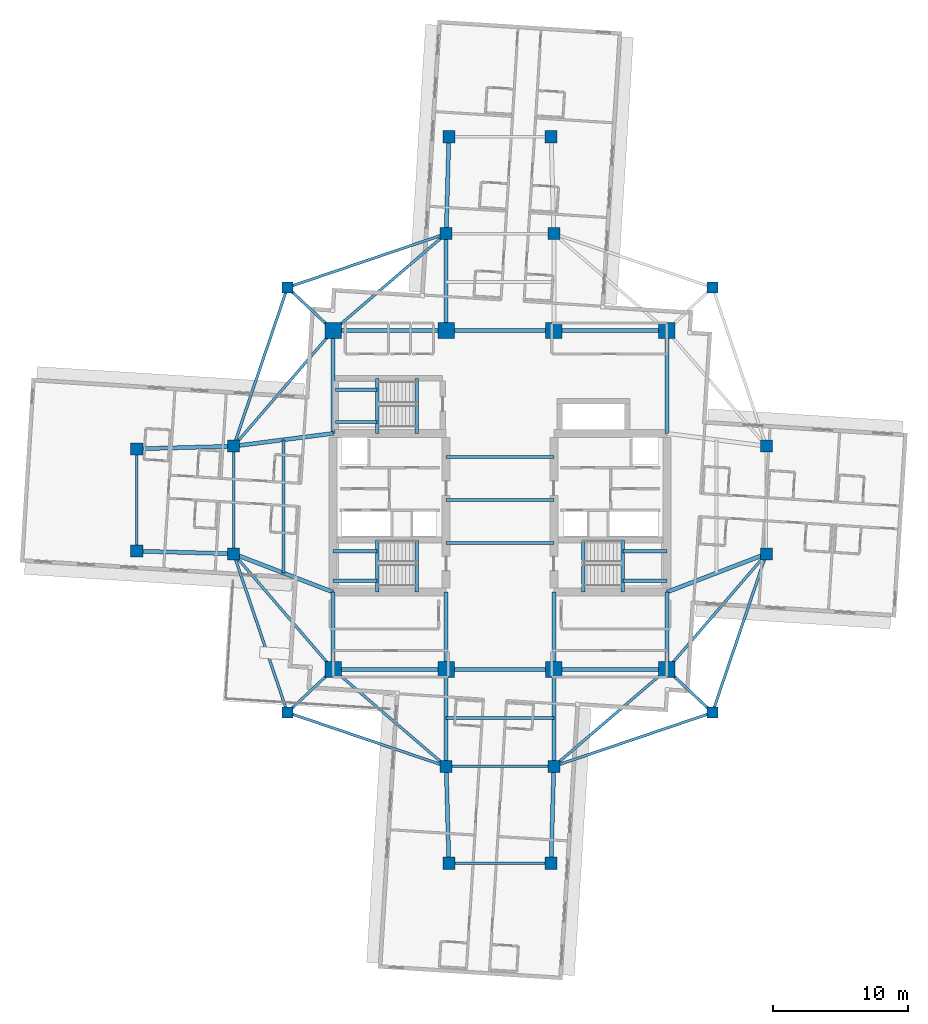
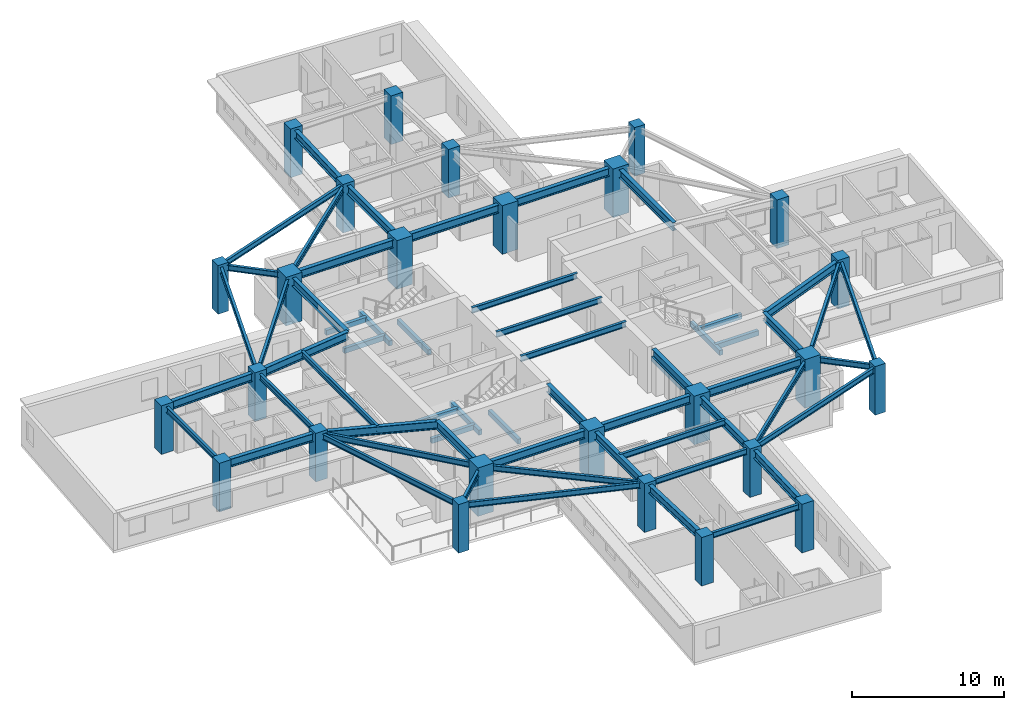
# One storey, part 1 of 14: 59 beams, 26 columns.
"""IFC4 building model written with IfcOpenShell, lengths in metres."""

import ifcopenshell
import ifcopenshell.guid

model = None  # the IFC model being written
_history = None  # IfcOwnerHistory: only IFC2X3 demands one
_inside = {}  # id of a spatial element -> (the spatial element, [elements in it])
_under = {}  # id of a project, library or spatial element -> (it, [spatial elements below it])
_declared = {}  # id of a project -> (the project, [libraries it declares])
_typed = {}  # id of a type object -> (the type object, [elements of that type])
_made_of = {}  # id of a material, layer set ... -> (it, [elements and type objects made of it])


def new_model(schema):
    """Start an empty IFC model of exactly this schema.

    Asked for "IFC4X3", IfcOpenShell would pick the latest addendum, in which some entities
    have other attributes; the version numbers below select the first issue.
    IFC2X3 requires an IfcOwnerHistory on every rooted entity: one is made here for all.
    """
    global model, _history
    if schema == "IFC4X3":
        model = ifcopenshell.file(schema_version=(4, 3, 0, 0))
    else:
        model = ifcopenshell.file(schema=schema)
    _inside.clear()
    _under.clear()
    _declared.clear()
    _typed.clear()
    _made_of.clear()
    _history = None
    if model.schema == "IFC2X3":
        org = make("IfcOrganization", Name="unknown")
        user = make(
            "IfcPersonAndOrganization",
            ThePerson=make("IfcPerson", FamilyName="unknown"),
            TheOrganization=org,
        )
        app = make(
            "IfcApplication",
            ApplicationDeveloper=org,
            Version="unknown",
            ApplicationFullName="unknown",
            ApplicationIdentifier="unknown",
        )
        _history = make(
            "IfcOwnerHistory",
            OwningUser=user,
            OwningApplication=app,
            ChangeAction="ADDED",
            CreationDate=0,
        )
    return model


def make(cls, **values):
    """One entity of the class cls with the attributes given. An attribute that is None is left unset."""
    return model.create_entity(
        cls, **{name: value for name, value in values.items() if value is not None}
    )


def rooted(cls, **values):
    """An entity with a GlobalId (a new one), such as an element, a storey or a relation."""
    return make(cls, GlobalId=ifcopenshell.guid.new(), OwnerHistory=_history, **values)


def si_unit(unit_type, name, prefix=None):
    """IfcSIUnit, for example si_unit("LENGTHUNIT", "METRE", prefix="MILLI")."""
    return make("IfcSIUnit", UnitType=unit_type, Prefix=prefix, Name=name)


def assignment(units):
    """IfcUnitAssignment: the units of a project."""
    return None if units is None else make("IfcUnitAssignment", Units=units)


def point(xyz):
    """IfcCartesianPoint."""
    return None if xyz is None else make("IfcCartesianPoint", Coordinates=xyz)


def direction(xyz):
    """IfcDirection."""
    return None if xyz is None else make("IfcDirection", DirectionRatios=xyz)


def frame(location, z_axis=None, x_axis=None):
    """IfcAxis2Placement3D, a coordinate frame: its origin and axes. An axis left out is left unset."""
    return make(
        "IfcAxis2Placement3D",
        Location=point(location),
        Axis=direction(z_axis),
        RefDirection=direction(x_axis),
    )


def frame_2d(location, x_axis=None):
    """IfcAxis2Placement2D, a coordinate frame in the plane: its origin and x axis."""
    return make(
        "IfcAxis2Placement2D", Location=point(location), RefDirection=direction(x_axis)
    )


def origin():
    """The frame at (0, 0, 0) with its axes left unset."""
    return frame((0.0, 0.0, 0.0))


def origin_2d():
    """The frame at (0, 0) in the plane with its x axis left unset."""
    return frame_2d((0.0, 0.0))


def place(relative_to, where):
    """IfcLocalPlacement: puts the frame where relative to a parent placement (None: the world)."""
    return make(
        "IfcLocalPlacement", PlacementRelTo=relative_to, RelativePlacement=where
    )


def context(
    kind, dimensions, precision=None, world=None, true_north=None, identifier=None
):
    """IfcGeometricRepresentationContext, for example the 3D "Model" context."""
    return make(
        "IfcGeometricRepresentationContext",
        ContextIdentifier=identifier,
        ContextType=kind,
        CoordinateSpaceDimension=dimensions,
        Precision=precision,
        WorldCoordinateSystem=world,
        TrueNorth=true_north,
    )


def subcontext(parent, identifier, kind, view, scale=None):
    """IfcGeometricRepresentationSubContext, for example "Body" below "Model"."""
    return make(
        "IfcGeometricRepresentationSubContext",
        ContextIdentifier=identifier,
        ContextType=kind,
        ParentContext=parent,
        TargetScale=scale,
        TargetView=view,
    )


def project(units=None, contexts=None):
    """IfcProject with its units and contexts."""
    return rooted(
        "IfcProject",
        Name="project",
        RepresentationContexts=contexts,
        UnitsInContext=assignment(units),
    )


def spatial(cls, under=None, at=None, **own):
    """A site, building, storey or space (cls), placed at a placement, below another one or the project."""
    s = rooted(cls, ObjectPlacement=at, **own)
    if under is not None:
        _under.setdefault(under.id(), (under, []))[1].append(s)
    return s


def profile(cls, at=None, kind="AREA", **sizes):
    """A parametric profile (cls). Its sizes go by their IFC names, for example OverallWidth=200.0."""
    return make(cls, ProfileType=kind, Position=at, **sizes)


def rectangle(**sizes):
    """IfcRectangleProfileDef."""
    return profile("IfcRectangleProfileDef", **sizes)


def i_section(**sizes):
    """IfcIShapeProfileDef."""
    return profile("IfcIShapeProfileDef", **sizes)


def extrude(swept, where, along, depth):
    """IfcExtrudedAreaSolid: the profile swept, set in the frame where, extruded along a direction by depth."""
    return make(
        "IfcExtrudedAreaSolid",
        SweptArea=swept,
        Position=where,
        ExtrudedDirection=direction(along),
        Depth=depth,
    )


def shape(context_of_items, identifier, shape_type, items):
    """IfcShapeRepresentation: the items that make up one representation, for example the "Body"."""
    return make(
        "IfcShapeRepresentation",
        ContextOfItems=context_of_items,
        RepresentationIdentifier=identifier,
        RepresentationType=shape_type,
        Items=items,
    )


def material(Name=None, Category=None):
    """IfcMaterial."""
    return make("IfcMaterial", Name=Name, Category=Category)


def material_profile(
    of_material, cross_section, Name=None, Category=None, Priority=None
):
    """IfcMaterialProfile: a cross section and its material."""
    return make(
        "IfcMaterialProfile",
        Name=Name,
        Material=of_material,
        Profile=cross_section,
        Priority=Priority,
        Category=Category,
    )


def profile_set(profiles, Name=None, composite=None):
    """IfcMaterialProfileSet."""
    return make(
        "IfcMaterialProfileSet",
        Name=Name,
        MaterialProfiles=profiles,
        CompositeProfile=composite,
    )


def made_of(thing, what):
    """Note that an element or type object is made of a material, layer set ...; save() writes the relation."""
    if what is not None:
        _made_of.setdefault(what.id(), (what, []))[1].append(thing)
    return thing


def type_object(cls, material=None, **own):
    """A type object (cls), such as IfcWallType, which elements share."""
    return made_of(rooted(cls, **own), material)


def element(
    cls,
    number,
    at=None,
    inside=None,
    cuts=None,
    type_object=None,
    material=None,
    context=None,
    identifier="Body",
    shape_type=None,
    held_by="IfcProductDefinitionShape",
    body=None,
    shapes=None,
    **own,
):
    """One element of the class cls, such as IfcWall. Its Tag is "e" and its number.

    at: its placement. inside: the storey or other place that contains it. cuts: it is an
    opening in that element (IfcRelVoidsElement). A single representation is given by context,
    identifier, shape_type and body (its items); several are given by shapes. held_by: the class
    of the entity that holds the representations. save() writes the other relations.
    """
    e = rooted(cls, Tag="e%d" % number, ObjectPlacement=at, **own)
    if body is not None:
        shapes = [shape(context, identifier, shape_type, body)]
    if shapes is not None:
        e.Representation = make(held_by, Representations=shapes)
    if inside is not None:
        _inside.setdefault(inside.id(), (inside, []))[1].append(e)
    if cuts is not None:
        rooted(
            "IfcRelVoidsElement", RelatingBuildingElement=cuts, RelatedOpeningElement=e
        )
    if type_object is not None:
        _typed.setdefault(type_object.id(), (type_object, []))[1].append(e)
    return made_of(e, material)


def aggregate(whole, parts):
    """IfcRelAggregates: a whole, such as a stair, and the parts it consists of."""
    return rooted("IfcRelAggregates", RelatingObject=whole, RelatedObjects=parts)


def save(model, path):
    """Write the relations noted so far, then the file.

    IfcRelAggregates (storeys below a building ...), IfcRelContainedInSpatialStructure (elements
    in a storey), IfcRelDefinesByType, IfcRelAssociatesMaterial and IfcRelDeclares: one each for
    every whole, place, type object, material and project.
    """
    for whole, parts in _under.values():
        aggregate(whole, parts)
    for where, things in _inside.values():
        rooted(
            "IfcRelContainedInSpatialStructure",
            RelatedElements=things,
            RelatingStructure=where,
        )
    for kind, things in _typed.values():
        rooted("IfcRelDefinesByType", RelatedObjects=things, RelatingType=kind)
    for what, things in _made_of.values():
        rooted("IfcRelAssociatesMaterial", RelatedObjects=things, RelatingMaterial=what)
    for by, libraries in _declared.values():
        rooted("IfcRelDeclares", RelatingContext=by, RelatedDefinitions=libraries)
    model.write(path)


model = new_model("IFC4")

# Units and contexts
model_context = context("Model", 3, precision=1e-05, world=origin(), true_north=direction((0.0, 1.0)))
body_context = subcontext(model_context, "Body", "Model", "MODEL_VIEW")
ifc_project = project(units=[si_unit("LENGTHUNIT", "METRE"), si_unit("AREAUNIT", "SQUARE_METRE"), si_unit("VOLUMEUNIT", "CUBIC_METRE"), si_unit("PLANEANGLEUNIT", "RADIAN"), si_unit("MASSUNIT", "GRAM", prefix="KILO")], contexts=[model_context])

# Site, building, storey
site_placement = place(None, origin())
site = spatial("IfcSite", under=ifc_project, at=site_placement, CompositionType="ELEMENT")
building_placement = place(site_placement, origin())
building = spatial("IfcBuilding", under=site, at=building_placement, Name="Qingluan Cross Belvedere", CompositionType="ELEMENT")
storey_placement = place(building_placement, frame((0.0, 0.0, 160.5)))
storey = spatial("IfcBuildingStorey", under=building, at=storey_placement, Name="L40", CompositionType="ELEMENT", Elevation=160.5)

# Columns
ifc_material_1 = material(Name="Concrete C60", Category="concrete")
ifc_material_profile_1 = material_profile(ifc_material_1, rectangle(XDim=1.199951171875, YDim=1.199951171875, at=origin_2d()), Name="RC1200x1200")
ifc_profile_set_1 = profile_set([ifc_material_profile_1], Name="Concrete C60")
column_type_1 = type_object("IfcColumnType", Name="Column_RC1200x1200", PredefinedType="COLUMN", material=ifc_profile_set_1)
for number, where, z_axis, x_axis, name in (
    (1, (-12.39990234375, -12.60009765625, 0.0), (0.0, 0.0, 1.0), (1.0, 0.0, 0.0), "Hub column L40-HC1"),
    (2, (12.39990234375, -12.60009765625, 0.0), (0.0, 0.0, 1.0), (1.0, 0.0, 0.0), "Hub column L40-HC2"),
    (3, (12.39990234375, 12.60009765625, 0.0), (0.0, 0.0, 1.0), (1.0, 0.0, 0.0), "Hub column L40-HC3"),
    (4, (-12.39990234375, 12.60009765625, 0.0), (0.0, 0.0, 1.0), (1.0, 0.0, 0.0), "Hub column L40-HC4"),
    (5, (-4.0, -12.60009765625, 0.0), (0.0, 0.0, 1.0), (1.0, 0.0, 0.0), "Hub column L40-HC5"),
    (6, (4.0, -12.60009765625, 0.0), (0.0, 0.0, 1.0), (1.0, 0.0, 0.0), "Hub column L40-HC6"),
    (7, (4.0, 12.60009765625, 0.0), (0.0, 0.0, 1.0), (1.0, 0.0, 0.0), "Hub column L40-HC7"),
    (8, (-4.0, 12.60009765625, 0.0), (0.0, 0.0, 1.0), (1.0, 0.0, 0.0), "Hub column L40-HC8"),
):
    element("IfcColumn", number, at=place(storey_placement, frame(where, z_axis=z_axis, x_axis=x_axis)), inside=storey, type_object=column_type_1, Name=name, PredefinedType="COLUMN", context=body_context, shape_type="SweptSolid", body=[
        extrude(rectangle(XDim=1.199951171875, YDim=1.199951171875, at=origin_2d()), origin(), (0.0, 0.0, 1.0), 3.89990234375),
    ])
ifc_material_2 = material(Name="Concrete C50", Category="concrete")
ifc_material_profile_2 = material_profile(ifc_material_2, rectangle(XDim=0.800048828125, YDim=0.800048828125, at=origin_2d()), Name="RC800x800")
ifc_profile_set_2 = profile_set([ifc_material_profile_2], Name="Concrete C50")
column_type_2 = type_object("IfcColumnType", Name="Column_RC800x800", PredefinedType="COLUMN", material=ifc_profile_set_2)
for number, where, z_axis, x_axis, name in (
    (9, (15.800048828125, 15.800048828125, 0.0), (0.0, 0.0, 1.0), (1.0, 0.0, 0.0), "Corner column L40-RNE"),
    (10, (-15.800048828125, 15.800048828125, 0.0), (0.0, 0.0, 1.0), (1.0, 0.0, 0.0), "Corner column L40-RNW"),
    (11, (-15.800048828125, -15.800048828125, 0.0), (0.0, 0.0, 1.0), (1.0, 0.0, 0.0), "Corner column L40-RSW"),
    (12, (15.800048828125, -15.800048828125, 0.0), (0.0, 0.0, 1.0), (1.0, 0.0, 0.0), "Corner column L40-RSE"),
):
    element("IfcColumn", number, at=place(storey_placement, frame(where, z_axis=z_axis, x_axis=x_axis)), inside=storey, type_object=column_type_2, Name=name, PredefinedType="COLUMN", context=body_context, shape_type="SweptSolid", body=[
        extrude(rectangle(XDim=0.800048828125, YDim=0.800048828125, at=origin_2d()), origin(), (0.0, 0.0, 1.0), 3.89990234375),
    ])
ifc_material_3 = material(Name="Concrete C50", Category="concrete")
ifc_material_profile_3 = material_profile(ifc_material_3, rectangle(XDim=0.89990234375, YDim=0.89990234375, at=origin_2d()), Name="RC900x900")
ifc_profile_set_3 = profile_set([ifc_material_profile_3], Name="Concrete C50")
column_type_3 = type_object("IfcColumnType", Name="Column_RC900x900", PredefinedType="COLUMN", material=ifc_profile_set_3)
for number, where, z_axis, x_axis, name in (
    (13, (19.800048828125, -4.0, 0.0), (0.0, 0.0, 1.0), (1.0, 0.0, 0.0), "Arm column L40-EIA"),
    (14, (19.800048828125, 4.0, 0.0), (0.0, 0.0, 1.0), (1.0, 0.0, 0.0), "Arm column L40-EIB"),
    (15, (-19.800048828125, -4.0, 0.0), (0.0, 0.0, 1.0), (1.0, 0.0, 0.0), "Arm column L40-WIA"),
    (16, (-19.800048828125, 4.0, 0.0), (0.0, 0.0, 1.0), (1.0, 0.0, 0.0), "Arm column L40-WIB"),
    (17, (-4.0, -19.800048828125, 0.0), (0.0, 0.0, 1.0), (1.0, 0.0, 0.0), "Arm column L40-SIA"),
    (18, (4.0, -19.800048828125, 0.0), (0.0, 0.0, 1.0), (1.0, 0.0, 0.0), "Arm column L40-SIB"),
    (19, (-4.0, 19.800048828125, 0.0), (0.0, 0.0, 1.0), (1.0, 0.0, 0.0), "Arm column L40-NIA"),
    (20, (4.0, 19.800048828125, 0.0), (0.0, 0.0, 1.0), (1.0, 0.0, 0.0), "Arm column L40-NIB"),
    (21, (-27.0, -3.800048828125, 0.0), (0.0, 0.0, 1.0), (1.0, 0.0, 0.0), "Arm column L40-WOA"),
    (22, (-27.0, 3.800048828125, 0.0), (0.0, 0.0, 1.0), (1.0, 0.0, 0.0), "Arm column L40-WOB"),
    (23, (-3.800048828125, -27.0, 0.0), (0.0, 0.0, 1.0), (1.0, 0.0, 0.0), "Arm column L40-SOA"),
    (24, (3.800048828125, -27.0, 0.0), (0.0, 0.0, 1.0), (1.0, 0.0, 0.0), "Arm column L40-SOB"),
    (25, (-3.800048828125, 27.0, 0.0), (0.0, 0.0, 1.0), (1.0, 0.0, 0.0), "Arm column L40-NOA"),
    (26, (3.800048828125, 27.0, 0.0), (0.0, 0.0, 1.0), (1.0, 0.0, 0.0), "Arm column L40-NOB"),
):
    element("IfcColumn", number, at=place(storey_placement, frame(where, z_axis=z_axis, x_axis=x_axis)), inside=storey, type_object=column_type_3, Name=name, PredefinedType="COLUMN", context=body_context, shape_type="SweptSolid", body=[
        extrude(rectangle(XDim=0.89990234375, YDim=0.89990234375, at=origin_2d()), origin(), (0.0, 0.0, 1.0), 3.89990234375),
    ])

# Beams
ifc_material_4 = material(Name="Concrete C45", Category="concrete")
ifc_material_profile_4 = material_profile(ifc_material_4, rectangle(XDim=0.25, YDim=0.39990234375, at=origin_2d()), Name="RC250x400")
ifc_profile_set_4 = profile_set([ifc_material_profile_4], Name="Concrete C45")
beam_type_1 = type_object("IfcBeamType", Name="RC_Lintel_RC250x400", PredefinedType="LINTEL", material=ifc_profile_set_4)
for number, where, z_axis, x_axis, name in (
    (27, (-6.179931640625, -6.85009765625, -0.199951171875), (0.0, 1.0, 0.0), (-1.0, 0.0, 0.0), "Stair ST1 landing beam L40"),
    (28, (6.179931640625, -6.85009765625, -0.199951171875), (0.0, 1.0, 0.0), (-1.0, 0.0, 0.0), "Stair ST2 landing beam L40"),
):
    element("IfcBeam", number, at=place(storey_placement, frame(where, z_axis=z_axis, x_axis=x_axis)), inside=storey, type_object=beam_type_1, Name=name, PredefinedType="LINTEL", context=body_context, shape_type="SweptSolid", body=[
        extrude(rectangle(XDim=0.25, YDim=0.39990234375, at=origin_2d()), origin(), (0.0, 0.0, 1.0), 3.89013671875),
    ])
beam_1_placement = place(storey_placement, frame((-6.179931640625, 4.949951171875, -0.199951171875), z_axis=(0.0, 1.0, 0.0), x_axis=(-1.0, 0.0, 0.0)))
element("IfcBeam", 29, at=beam_1_placement, inside=storey, type_object=beam_type_1, Name="Stair ST3 landing beam L40", PredefinedType="LINTEL", context=body_context, shape_type="SweptSolid", body=[
    extrude(rectangle(XDim=0.25, YDim=0.39990234375, at=origin_2d()), origin(), (0.0, 0.0, 1.0), 4.090087890625),
])
beam_2_placement = place(storey_placement, frame((-9.1298828125, -6.85009765625, 1.550048828125), z_axis=(0.0, 1.0, 0.0), x_axis=(-1.0, 0.0, 0.0)))
element("IfcBeam", 30, at=beam_2_placement, inside=storey, type_object=beam_type_1, Name="Stair ST1 beam A L40", PredefinedType="LINTEL", context=body_context, shape_type="SweptSolid", body=[
    extrude(rectangle(XDim=0.25, YDim=0.39990234375, at=origin_2d()), origin(), (0.0, 0.0, 1.0), 3.89013671875),
])
for number, where, z_axis, x_axis, name in (
    (31, (-12.39990234375, -6.0, 1.550048828125), (1.0, 0.0, 0.0), (0.0, 1.0, 0.0), "Stair ST1 beam B L40"),
    (32, (-12.39990234375, -3.81005859375, 1.550048828125), (1.0, 0.0, 0.0), (0.0, 1.0, 0.0), "Stair ST1 beam C L40"),
):
    element("IfcBeam", number, at=place(storey_placement, frame(where, z_axis=z_axis, x_axis=x_axis)), inside=storey, type_object=beam_type_1, Name=name, PredefinedType="LINTEL", context=body_context, shape_type="SweptSolid", body=[
        extrude(rectangle(XDim=0.25, YDim=0.39990234375, at=origin_2d()), origin(), (0.0, 0.0, 1.0), 3.27001953125),
    ])
beam_3_placement = place(storey_placement, frame((9.1298828125, -6.85009765625, 1.550048828125), z_axis=(0.0, 1.0, 0.0), x_axis=(-1.0, 0.0, 0.0)))
element("IfcBeam", 33, at=beam_3_placement, inside=storey, type_object=beam_type_1, Name="Stair ST2 beam A L40", PredefinedType="LINTEL", context=body_context, shape_type="SweptSolid", body=[
    extrude(rectangle(XDim=0.25, YDim=0.39990234375, at=origin_2d()), origin(), (0.0, 0.0, 1.0), 3.89013671875),
])
for number, where, z_axis, x_axis, name in (
    (34, (12.39990234375, -6.0, 1.550048828125), (-1.0, 0.0, 0.0), (0.0, -1.0, 0.0), "Stair ST2 beam B L40"),
    (35, (12.39990234375, -3.81005859375, 1.550048828125), (-1.0, 0.0, 0.0), (0.0, -1.0, 0.0), "Stair ST2 beam C L40"),
):
    element("IfcBeam", number, at=place(storey_placement, frame(where, z_axis=z_axis, x_axis=x_axis)), inside=storey, type_object=beam_type_1, Name=name, PredefinedType="LINTEL", context=body_context, shape_type="SweptSolid", body=[
        extrude(rectangle(XDim=0.25, YDim=0.39990234375, at=origin_2d()), origin(), (0.0, 0.0, 1.0), 3.27001953125),
    ])
beam_4_placement = place(storey_placement, frame((-9.1298828125, 4.949951171875, 1.550048828125), z_axis=(0.0, 1.0, 0.0), x_axis=(-1.0, 0.0, 0.0)))
element("IfcBeam", 36, at=beam_4_placement, inside=storey, type_object=beam_type_1, Name="Stair ST3 beam A L40", PredefinedType="LINTEL", context=body_context, shape_type="SweptSolid", body=[
    extrude(rectangle(XDim=0.25, YDim=0.39990234375, at=origin_2d()), origin(), (0.0, 0.0, 1.0), 4.090087890625),
])
for number, where, z_axis, x_axis, name in (
    (37, (-12.219970703125, 5.800048828125, 1.550048828125), (1.0, 0.0, 0.0), (0.0, 1.0, 0.0), "Stair ST3 beam B L40"),
    (38, (-12.219970703125, 8.18994140625, 1.550048828125), (1.0, 0.0, 0.0), (0.0, 1.0, 0.0), "Stair ST3 beam C L40"),
):
    element("IfcBeam", number, at=place(storey_placement, frame(where, z_axis=z_axis, x_axis=x_axis)), inside=storey, type_object=beam_type_1, Name=name, PredefinedType="LINTEL", context=body_context, shape_type="SweptSolid", body=[
        extrude(rectangle(XDim=0.25, YDim=0.39990234375, at=origin_2d()), origin(), (0.0, 0.0, 1.0), 3.090087890625),
    ])
ifc_material_5 = material(Name="Steel Q420GJB", Category="steel")
ifc_material_profile_5 = material_profile(ifc_material_5, i_section(OverallWidth=0.199951171875, OverallDepth=0.449951171875, WebThickness=0.009033203125, FlangeThickness=0.013916015625, FilletRadius=0.01611328125, at=origin_2d()), Name="HN450x200x9x14")
ifc_profile_set_5 = profile_set([ifc_material_profile_5], Name="Steel Q420GJB")
beam_type_2 = type_object("IfcBeamType", Name="Steel_Beam_HN450x200x9x14", PredefinedType="JOIST", material=ifc_profile_set_5)
beam_5_placement = place(storey_placement, frame((-12.39990234375, 12.60009765625, 3.47509765625), z_axis=(-0.728219948308, 0.685343495546, 0.0), x_axis=(-0.685343495546, -0.728219948308, 0.0)))
element("IfcBeam", 39, at=beam_5_placement, inside=storey, type_object=beam_type_2, Name="Corner beam 1 L40-RNW", PredefinedType="JOIST", context=body_context, shape_type="SweptSolid", body=[
    extrude(i_section(OverallWidth=0.199951171875, OverallDepth=0.449951171875, WebThickness=0.009033203125, FlangeThickness=0.013916015625, FilletRadius=0.01611328125, at=origin_2d()), origin(), (0.0, 0.0, 1.0), 4.669189453125),
])
for number, where, z_axis, x_axis, name in (
    (40, (-15.800048828125, 15.800048828125, 3.47509765625), (0.947066283324, 0.321038089628, 0.0), (-0.321038089628, 0.947066283324, 0.0), "Corner beam 2 L40-RNW"),
    (41, (-15.800048828125, 15.800048828125, 3.47509765625), (-0.321038089628, -0.947066283324, 0.0), (0.947066283324, -0.321038089628, 0.0), "Corner beam 3 L40-RNW"),
):
    element("IfcBeam", number, at=place(storey_placement, frame(where, z_axis=z_axis, x_axis=x_axis)), inside=storey, type_object=beam_type_2, Name=name, PredefinedType="JOIST", context=body_context, shape_type="SweptSolid", body=[
        extrude(i_section(OverallWidth=0.199951171875, OverallDepth=0.449951171875, WebThickness=0.009033203125, FlangeThickness=0.013916015625, FilletRadius=0.01611328125, at=origin_2d()), origin(), (0.0, 0.0, 1.0), 12.45947265625),
    ])
beam_6_placement = place(storey_placement, frame((-12.39990234375, 12.60009765625, 3.47509765625), z_axis=(-0.652245077546, -0.75800815221, 0.0), x_axis=(0.75800815221, -0.652245077546, 0.0)))
element("IfcBeam", 42, at=beam_6_placement, inside=storey, type_object=beam_type_2, Name="Corner beam 4 L40-RNW", PredefinedType="JOIST", context=body_context, shape_type="SweptSolid", body=[
    extrude(i_section(OverallWidth=0.199951171875, OverallDepth=0.449951171875, WebThickness=0.009033203125, FlangeThickness=0.013916015625, FilletRadius=0.01611328125, at=origin_2d()), origin(), (0.0, 0.0, 1.0), 11.345703125),
])
beam_7_placement = place(storey_placement, frame((-12.39990234375, 12.60009765625, 3.47509765625), z_axis=(0.759255044656, 0.650793190779, 0.0), x_axis=(-0.650793190779, 0.759255044656, 0.0)))
element("IfcBeam", 43, at=beam_7_placement, inside=storey, type_object=beam_type_2, Name="Corner beam 5 L40-RNW", PredefinedType="JOIST", context=body_context, shape_type="SweptSolid", body=[
    extrude(i_section(OverallWidth=0.199951171875, OverallDepth=0.449951171875, WebThickness=0.009033203125, FlangeThickness=0.013916015625, FilletRadius=0.01611328125, at=origin_2d()), origin(), (0.0, 0.0, 1.0), 11.063232421875),
])
beam_8_placement = place(storey_placement, frame((-12.39990234375, -12.60009765625, 3.455078125), z_axis=(-0.728219948308, -0.685343495546, 0.0), x_axis=(0.685343495546, -0.728219948308, 0.0)))
element("IfcBeam", 44, at=beam_8_placement, inside=storey, type_object=beam_type_2, Name="Corner beam 1 L40-RSW", PredefinedType="JOIST", context=body_context, shape_type="SweptSolid", body=[
    extrude(i_section(OverallWidth=0.199951171875, OverallDepth=0.449951171875, WebThickness=0.009033203125, FlangeThickness=0.013916015625, FilletRadius=0.01611328125, at=origin_2d()), origin(), (0.0, 0.0, 1.0), 4.669189453125),
])
for number, where, z_axis, x_axis, name in (
    (45, (-15.800048828125, -15.800048828125, 3.47509765625), (0.947066283324, -0.321038089628, 0.0), (0.321038089628, 0.947066283324, 0.0), "Corner beam 2 L40-RSW"),
    (46, (-15.800048828125, -15.800048828125, 3.455078125), (-0.321038089628, 0.947066283324, 0.0), (-0.947066283324, -0.321038089628, 0.0), "Corner beam 3 L40-RSW"),
):
    element("IfcBeam", number, at=place(storey_placement, frame(where, z_axis=z_axis, x_axis=x_axis)), inside=storey, type_object=beam_type_2, Name=name, PredefinedType="JOIST", context=body_context, shape_type="SweptSolid", body=[
        extrude(i_section(OverallWidth=0.199951171875, OverallDepth=0.449951171875, WebThickness=0.009033203125, FlangeThickness=0.013916015625, FilletRadius=0.01611328125, at=origin_2d()), origin(), (0.0, 0.0, 1.0), 12.45947265625),
    ])
beam_9_placement = place(storey_placement, frame((-12.39990234375, -12.60009765625, 3.455078125), z_axis=(-0.652245077546, 0.75800815221, 0.0), x_axis=(-0.75800815221, -0.652245077546, 0.0)))
element("IfcBeam", 47, at=beam_9_placement, inside=storey, type_object=beam_type_2, Name="Corner beam 4 L40-RSW", PredefinedType="JOIST", context=body_context, shape_type="SweptSolid", body=[
    extrude(i_section(OverallWidth=0.199951171875, OverallDepth=0.449951171875, WebThickness=0.009033203125, FlangeThickness=0.013916015625, FilletRadius=0.01611328125, at=origin_2d()), origin(), (0.0, 0.0, 1.0), 11.345703125),
])
beam_10_placement = place(storey_placement, frame((-12.39990234375, -12.60009765625, 3.455078125), z_axis=(0.759255044656, -0.650793190779, 0.0), x_axis=(0.650793190779, 0.759255044656, 0.0)))
element("IfcBeam", 48, at=beam_10_placement, inside=storey, type_object=beam_type_2, Name="Corner beam 5 L40-RSW", PredefinedType="JOIST", context=body_context, shape_type="SweptSolid", body=[
    extrude(i_section(OverallWidth=0.199951171875, OverallDepth=0.449951171875, WebThickness=0.009033203125, FlangeThickness=0.013916015625, FilletRadius=0.01611328125, at=origin_2d()), origin(), (0.0, 0.0, 1.0), 11.063232421875),
])
beam_11_placement = place(storey_placement, frame((12.39990234375, -12.60009765625, 3.47509765625), z_axis=(0.728219948308, -0.685343495546, 0.0), x_axis=(0.685343495546, 0.728219948308, 0.0)))
element("IfcBeam", 49, at=beam_11_placement, inside=storey, type_object=beam_type_2, Name="Corner beam 1 L40-RSE", PredefinedType="JOIST", context=body_context, shape_type="SweptSolid", body=[
    extrude(i_section(OverallWidth=0.199951171875, OverallDepth=0.449951171875, WebThickness=0.009033203125, FlangeThickness=0.013916015625, FilletRadius=0.01611328125, at=origin_2d()), origin(), (0.0, 0.0, 1.0), 4.669189453125),
])
for number, where, z_axis, x_axis, name in (
    (50, (15.800048828125, -15.800048828125, 3.47509765625), (-0.947066283324, -0.321038089628, 0.0), (0.321038089628, -0.947066283324, 0.0), "Corner beam 2 L40-RSE"),
    (51, (15.800048828125, -15.800048828125, 3.47509765625), (0.321038089628, 0.947066283324, 0.0), (-0.947066283324, 0.321038089628, 0.0), "Corner beam 3 L40-RSE"),
):
    element("IfcBeam", number, at=place(storey_placement, frame(where, z_axis=z_axis, x_axis=x_axis)), inside=storey, type_object=beam_type_2, Name=name, PredefinedType="JOIST", context=body_context, shape_type="SweptSolid", body=[
        extrude(i_section(OverallWidth=0.199951171875, OverallDepth=0.449951171875, WebThickness=0.009033203125, FlangeThickness=0.013916015625, FilletRadius=0.01611328125, at=origin_2d()), origin(), (0.0, 0.0, 1.0), 12.45947265625),
    ])
beam_12_placement = place(storey_placement, frame((12.39990234375, -12.60009765625, 3.47509765625), z_axis=(0.652245077546, 0.75800815221, 0.0), x_axis=(-0.75800815221, 0.652245077546, 0.0)))
element("IfcBeam", 52, at=beam_12_placement, inside=storey, type_object=beam_type_2, Name="Corner beam 4 L40-RSE", PredefinedType="JOIST", context=body_context, shape_type="SweptSolid", body=[
    extrude(i_section(OverallWidth=0.199951171875, OverallDepth=0.449951171875, WebThickness=0.009033203125, FlangeThickness=0.013916015625, FilletRadius=0.01611328125, at=origin_2d()), origin(), (0.0, 0.0, 1.0), 11.345703125),
])
beam_13_placement = place(storey_placement, frame((12.39990234375, -12.60009765625, 3.47509765625), z_axis=(-0.759255044656, -0.650793190779, 0.0), x_axis=(0.650793190779, -0.759255044656, 0.0)))
element("IfcBeam", 53, at=beam_13_placement, inside=storey, type_object=beam_type_2, Name="Corner beam 5 L40-RSE", PredefinedType="JOIST", context=body_context, shape_type="SweptSolid", body=[
    extrude(i_section(OverallWidth=0.199951171875, OverallDepth=0.449951171875, WebThickness=0.009033203125, FlangeThickness=0.013916015625, FilletRadius=0.01611328125, at=origin_2d()), origin(), (0.0, 0.0, 1.0), 11.063232421875),
])
for number, where, z_axis, x_axis, name in (
    (54, (-4.0, -3.199951171875, 3.47509765625), (1.0, 0.0, 0.0), (0.0, 1.0, 0.0), "Hall beam L40-CH1"),
    (55, (-4.0, 0.0, 3.47509765625), (1.0, 0.0, 0.0), (0.0, 1.0, 0.0), "Hall beam L40-CH2"),
    (56, (-4.0, 3.199951171875, 3.47509765625), (1.0, 0.0, 0.0), (0.0, 1.0, 0.0), "Hall beam L40-CH3"),
    (57, (-19.800048828125, -4.0, 3.47509765625), (0.0, 1.0, 0.0), (-1.0, 0.0, 0.0), "Arm W tie L40"),
):
    element("IfcBeam", number, at=place(storey_placement, frame(where, z_axis=z_axis, x_axis=x_axis)), inside=storey, type_object=beam_type_2, Name=name, PredefinedType="JOIST", context=body_context, shape_type="SweptSolid", body=[
        extrude(i_section(OverallWidth=0.199951171875, OverallDepth=0.449951171875, WebThickness=0.009033203125, FlangeThickness=0.013916015625, FilletRadius=0.01611328125, at=origin_2d()), origin(), (0.0, 0.0, 1.0), 8.0),
    ])
beam_14_placement = place(storey_placement, frame((-16.10009765625, -5.425048828125, 3.47509765625), z_axis=(0.0, 1.0, 0.0), x_axis=(-1.0, 0.0, 0.0)))
element("IfcBeam", 58, at=beam_14_placement, inside=storey, type_object=beam_type_2, Name="Arm W beam L40", PredefinedType="JOIST", context=body_context, shape_type="SweptSolid", body=[
    extrude(i_section(OverallWidth=0.199951171875, OverallDepth=0.449951171875, WebThickness=0.009033203125, FlangeThickness=0.013916015625, FilletRadius=0.01611328125, at=origin_2d()), origin(), (0.0, 0.0, 1.0), 9.900146484375),
])
beam_15_placement = place(storey_placement, frame((-27.0, -3.800048828125, 3.47509765625), z_axis=(0.0, 1.0, 0.0), x_axis=(-1.0, 0.0, 0.0)))
element("IfcBeam", 59, at=beam_15_placement, inside=storey, type_object=beam_type_2, Name="Arm W tip transverse beam L40", PredefinedType="JOIST", context=body_context, shape_type="SweptSolid", body=[
    extrude(i_section(OverallWidth=0.199951171875, OverallDepth=0.449951171875, WebThickness=0.009033203125, FlangeThickness=0.013916015625, FilletRadius=0.01611328125, at=origin_2d()), origin(), (0.0, 0.0, 1.0), 7.60009765625),
])
for number, where, z_axis, x_axis, name in (
    (60, (-4.0, -19.800048828125, 3.47509765625), (1.0, 0.0, 0.0), (0.0, 1.0, 0.0), "Arm S tie L40"),
    (61, (-4.0, -16.199951171875, 3.47509765625), (1.0, 0.0, 0.0), (0.0, 1.0, 0.0), "Arm S beam L40"),
):
    element("IfcBeam", number, at=place(storey_placement, frame(where, z_axis=z_axis, x_axis=x_axis)), inside=storey, type_object=beam_type_2, Name=name, PredefinedType="JOIST", context=body_context, shape_type="SweptSolid", body=[
        extrude(i_section(OverallWidth=0.199951171875, OverallDepth=0.449951171875, WebThickness=0.009033203125, FlangeThickness=0.013916015625, FilletRadius=0.01611328125, at=origin_2d()), origin(), (0.0, 0.0, 1.0), 8.0),
    ])
beam_16_placement = place(storey_placement, frame((-3.800048828125, -27.0, 3.47509765625), z_axis=(1.0, 0.0, 0.0), x_axis=(0.0, 1.0, 0.0)))
element("IfcBeam", 62, at=beam_16_placement, inside=storey, type_object=beam_type_2, Name="Arm S tip transverse beam L40", PredefinedType="JOIST", context=body_context, shape_type="SweptSolid", body=[
    extrude(i_section(OverallWidth=0.199951171875, OverallDepth=0.449951171875, WebThickness=0.009033203125, FlangeThickness=0.013916015625, FilletRadius=0.01611328125, at=origin_2d()), origin(), (0.0, 0.0, 1.0), 7.60009765625),
])
ifc_material_6 = material(Name="Steel Q420GJB", Category="steel")
ifc_material_profile_6 = material_profile(ifc_material_6, i_section(OverallWidth=0.300048828125, OverallDepth=0.64990234375, WebThickness=0.014404296875, FlangeThickness=0.02587890625, FilletRadius=0.027099609375, at=origin_2d()), Name="HEB650")
ifc_profile_set_6 = profile_set([ifc_material_profile_6], Name="Steel Q420GJB")
beam_type_3 = type_object("IfcBeamType", Name="Steel_Girder_HEB650", PredefinedType="USERDEFINED", material=ifc_profile_set_6)
beam_17_placement = place(storey_placement, frame((-12.39990234375, -12.60009765625, 3.375), z_axis=(1.0, 0.0, 0.0), x_axis=(0.0, 1.0, 0.0)))
element("IfcBeam", 63, at=beam_17_placement, inside=storey, type_object=beam_type_3, Name="Hub girder L40-HG-S1", ObjectType="GIRDER", PredefinedType="USERDEFINED", context=body_context, shape_type="SweptSolid", body=[
    extrude(i_section(OverallWidth=0.300048828125, OverallDepth=0.64990234375, WebThickness=0.014404296875, FlangeThickness=0.02587890625, FilletRadius=0.027099609375, at=origin_2d()), origin(), (0.0, 0.0, 1.0), 8.39990234375),
])
beam_18_placement = place(storey_placement, frame((-4.0, -12.60009765625, 3.375), z_axis=(1.0, 0.0, 0.0), x_axis=(0.0, 1.0, 0.0)))
element("IfcBeam", 64, at=beam_18_placement, inside=storey, type_object=beam_type_3, Name="Hub girder L40-HG-S2", ObjectType="GIRDER", PredefinedType="USERDEFINED", context=body_context, shape_type="SweptSolid", body=[
    extrude(i_section(OverallWidth=0.300048828125, OverallDepth=0.64990234375, WebThickness=0.014404296875, FlangeThickness=0.02587890625, FilletRadius=0.027099609375, at=origin_2d()), origin(), (0.0, 0.0, 1.0), 8.0),
])
for number, where, z_axis, x_axis, name in (
    (65, (4.0, -12.60009765625, 3.375), (1.0, 0.0, 0.0), (0.0, 1.0, 0.0), "Hub girder L40-HG-S3"),
    (66, (-12.39990234375, 12.60009765625, 3.375), (1.0, 0.0, 0.0), (0.0, 1.0, 0.0), "Hub girder L40-HG-N1"),
):
    element("IfcBeam", number, at=place(storey_placement, frame(where, z_axis=z_axis, x_axis=x_axis)), inside=storey, type_object=beam_type_3, Name=name, ObjectType="GIRDER", PredefinedType="USERDEFINED", context=body_context, shape_type="SweptSolid", body=[
        extrude(i_section(OverallWidth=0.300048828125, OverallDepth=0.64990234375, WebThickness=0.014404296875, FlangeThickness=0.02587890625, FilletRadius=0.027099609375, at=origin_2d()), origin(), (0.0, 0.0, 1.0), 8.39990234375),
    ])
beam_19_placement = place(storey_placement, frame((-4.0, 12.60009765625, 3.375), z_axis=(1.0, 0.0, 0.0), x_axis=(0.0, 1.0, 0.0)))
element("IfcBeam", 67, at=beam_19_placement, inside=storey, type_object=beam_type_3, Name="Hub girder L40-HG-N2", ObjectType="GIRDER", PredefinedType="USERDEFINED", context=body_context, shape_type="SweptSolid", body=[
    extrude(i_section(OverallWidth=0.300048828125, OverallDepth=0.64990234375, WebThickness=0.014404296875, FlangeThickness=0.02587890625, FilletRadius=0.027099609375, at=origin_2d()), origin(), (0.0, 0.0, 1.0), 8.0),
])
beam_20_placement = place(storey_placement, frame((4.0, 12.60009765625, 3.375), z_axis=(1.0, 0.0, 0.0), x_axis=(0.0, 1.0, 0.0)))
element("IfcBeam", 68, at=beam_20_placement, inside=storey, type_object=beam_type_3, Name="Hub girder L40-HG-N3", ObjectType="GIRDER", PredefinedType="USERDEFINED", context=body_context, shape_type="SweptSolid", body=[
    extrude(i_section(OverallWidth=0.300048828125, OverallDepth=0.64990234375, WebThickness=0.014404296875, FlangeThickness=0.02587890625, FilletRadius=0.027099609375, at=origin_2d()), origin(), (0.0, 0.0, 1.0), 8.39990234375),
])
beam_21_placement = place(storey_placement, frame((-12.39990234375, -12.60009765625, 3.375), z_axis=(0.0, 1.0, 0.0), x_axis=(-1.0, 0.0, 0.0)))
element("IfcBeam", 69, at=beam_21_placement, inside=storey, type_object=beam_type_3, Name="Hub girder L40-HG-W1", ObjectType="GIRDER", PredefinedType="USERDEFINED", context=body_context, shape_type="SweptSolid", body=[
    extrude(i_section(OverallWidth=0.300048828125, OverallDepth=0.64990234375, WebThickness=0.014404296875, FlangeThickness=0.02587890625, FilletRadius=0.027099609375, at=origin_2d()), origin(), (0.0, 0.0, 1.0), 5.75),
])
beam_22_placement = place(storey_placement, frame((-12.39990234375, 4.949951171875, 3.375), z_axis=(0.0, 1.0, 0.0), x_axis=(-1.0, 0.0, 0.0)))
element("IfcBeam", 70, at=beam_22_placement, inside=storey, type_object=beam_type_3, Name="Hub girder L40-HG-W2", ObjectType="GIRDER", PredefinedType="USERDEFINED", context=body_context, shape_type="SweptSolid", body=[
    extrude(i_section(OverallWidth=0.300048828125, OverallDepth=0.64990234375, WebThickness=0.014404296875, FlangeThickness=0.02587890625, FilletRadius=0.027099609375, at=origin_2d()), origin(), (0.0, 0.0, 1.0), 7.650146484375),
])
beam_23_placement = place(storey_placement, frame((12.39990234375, -12.60009765625, 3.375), z_axis=(0.0, 1.0, 0.0), x_axis=(-1.0, 0.0, 0.0)))
element("IfcBeam", 71, at=beam_23_placement, inside=storey, type_object=beam_type_3, Name="Hub girder L40-HG-E1", ObjectType="GIRDER", PredefinedType="USERDEFINED", context=body_context, shape_type="SweptSolid", body=[
    extrude(i_section(OverallWidth=0.300048828125, OverallDepth=0.64990234375, WebThickness=0.014404296875, FlangeThickness=0.02587890625, FilletRadius=0.027099609375, at=origin_2d()), origin(), (0.0, 0.0, 1.0), 5.75),
])
beam_24_placement = place(storey_placement, frame((12.39990234375, 4.949951171875, 3.375), z_axis=(0.0, 1.0, 0.0), x_axis=(-1.0, 0.0, 0.0)))
element("IfcBeam", 72, at=beam_24_placement, inside=storey, type_object=beam_type_3, Name="Hub girder L40-HG-E2", ObjectType="GIRDER", PredefinedType="USERDEFINED", context=body_context, shape_type="SweptSolid", body=[
    extrude(i_section(OverallWidth=0.300048828125, OverallDepth=0.64990234375, WebThickness=0.014404296875, FlangeThickness=0.02587890625, FilletRadius=0.027099609375, at=origin_2d()), origin(), (0.0, 0.0, 1.0), 7.650146484375),
])
for number, where, z_axis, x_axis, name in (
    (73, (-4.0, -12.60009765625, 3.375), (0.0, 1.0, 0.0), (-1.0, 0.0, 0.0), "Hub girder L40-HG-CW"),
    (74, (4.0, -12.60009765625, 3.375), (0.0, 1.0, 0.0), (-1.0, 0.0, 0.0), "Hub girder L40-HG-CE"),
):
    element("IfcBeam", number, at=place(storey_placement, frame(where, z_axis=z_axis, x_axis=x_axis)), inside=storey, type_object=beam_type_3, Name=name, ObjectType="GIRDER", PredefinedType="USERDEFINED", context=body_context, shape_type="SweptSolid", body=[
        extrude(i_section(OverallWidth=0.300048828125, OverallDepth=0.64990234375, WebThickness=0.014404296875, FlangeThickness=0.02587890625, FilletRadius=0.027099609375, at=origin_2d()), origin(), (0.0, 0.0, 1.0), 5.75),
    ])
for number, where, z_axis, x_axis, name in (
    (75, (12.39990234375, -6.85009765625, 3.375), (0.933181258889, 0.359406090735, 0.0), (-0.359406090735, 0.933181258889, 0.0), "Arm E radial girder A L40"),
    (76, (-12.39990234375, -6.85009765625, 3.35498046875), (-0.933181258889, 0.359406090735, 0.0), (-0.359406090735, -0.933181258889, 0.0), "Arm W radial girder A L40"),
):
    element("IfcBeam", number, at=place(storey_placement, frame(where, z_axis=z_axis, x_axis=x_axis)), inside=storey, type_object=beam_type_3, Name=name, ObjectType="GIRDER", PredefinedType="USERDEFINED", context=body_context, shape_type="SweptSolid", body=[
        extrude(i_section(OverallWidth=0.300048828125, OverallDepth=0.64990234375, WebThickness=0.014404296875, FlangeThickness=0.02587890625, FilletRadius=0.027099609375, at=origin_2d()), origin(), (0.0, 0.0, 1.0), 7.929931640625),
    ])
beam_25_placement = place(storey_placement, frame((-12.39990234375, 4.949951171875, 3.375), z_axis=(-0.991861120628, -0.12732445714, 0.0), x_axis=(0.12732445714, -0.991861120628, 0.0)))
element("IfcBeam", 77, at=beam_25_placement, inside=storey, type_object=beam_type_3, Name="Arm W radial girder B L40", ObjectType="GIRDER", PredefinedType="USERDEFINED", context=body_context, shape_type="SweptSolid", body=[
    extrude(i_section(OverallWidth=0.300048828125, OverallDepth=0.64990234375, WebThickness=0.014404296875, FlangeThickness=0.02587890625, FilletRadius=0.027099609375, at=origin_2d()), origin(), (0.0, 0.0, 1.0), 7.4609375),
])
for number, where, z_axis, x_axis, name in (
    (78, (-19.800048828125, -4.0, 3.375), (-0.999614603568, 0.027760481514, 0.0), (-0.027760481514, -0.999614603568, 0.0), "Arm W outer radial girder A L40"),
    (79, (-19.800048828125, 4.0, 3.375), (-0.999614603568, -0.027760481514, 0.0), (0.027760481514, -0.999614603568, 0.0), "Arm W outer radial girder B L40"),
):
    element("IfcBeam", number, at=place(storey_placement, frame(where, z_axis=z_axis, x_axis=x_axis)), inside=storey, type_object=beam_type_3, Name=name, ObjectType="GIRDER", PredefinedType="USERDEFINED", context=body_context, shape_type="SweptSolid", body=[
        extrude(i_section(OverallWidth=0.300048828125, OverallDepth=0.64990234375, WebThickness=0.014404296875, FlangeThickness=0.02587890625, FilletRadius=0.027099609375, at=origin_2d()), origin(), (0.0, 0.0, 1.0), 7.20263671875),
    ])
beam_26_placement = place(storey_placement, frame((-4.0, 12.60009765625, 3.375), z_axis=(0.0, 1.0, 0.0), x_axis=(-1.0, 0.0, 0.0)))
element("IfcBeam", 80, at=beam_26_placement, inside=storey, type_object=beam_type_3, Name="Arm N radial girder A L40", ObjectType="GIRDER", PredefinedType="USERDEFINED", context=body_context, shape_type="SweptSolid", body=[
    extrude(i_section(OverallWidth=0.300048828125, OverallDepth=0.64990234375, WebThickness=0.014404296875, FlangeThickness=0.02587890625, FilletRadius=0.027099609375, at=origin_2d()), origin(), (0.0, 0.0, 1.0), 7.199951171875),
])
beam_27_placement = place(storey_placement, frame((-4.0, 19.800048828125, 3.375), z_axis=(0.027760481514, 0.999614603568, 0.0), x_axis=(-0.999614603568, 0.027760481514, 0.0)))
element("IfcBeam", 81, at=beam_27_placement, inside=storey, type_object=beam_type_3, Name="Arm N outer radial girder A L40", ObjectType="GIRDER", PredefinedType="USERDEFINED", context=body_context, shape_type="SweptSolid", body=[
    extrude(i_section(OverallWidth=0.300048828125, OverallDepth=0.64990234375, WebThickness=0.014404296875, FlangeThickness=0.02587890625, FilletRadius=0.027099609375, at=origin_2d()), origin(), (0.0, 0.0, 1.0), 7.20263671875),
])
for number, where, z_axis, x_axis, name in (
    (82, (-4.0, -12.60009765625, 3.375), (0.0, -1.0, 0.0), (1.0, 0.0, 0.0), "Arm S radial girder A L40"),
    (83, (4.0, -12.60009765625, 3.375), (0.0, -1.0, 0.0), (1.0, 0.0, 0.0), "Arm S radial girder B L40"),
):
    element("IfcBeam", number, at=place(storey_placement, frame(where, z_axis=z_axis, x_axis=x_axis)), inside=storey, type_object=beam_type_3, Name=name, ObjectType="GIRDER", PredefinedType="USERDEFINED", context=body_context, shape_type="SweptSolid", body=[
        extrude(i_section(OverallWidth=0.300048828125, OverallDepth=0.64990234375, WebThickness=0.014404296875, FlangeThickness=0.02587890625, FilletRadius=0.027099609375, at=origin_2d()), origin(), (0.0, 0.0, 1.0), 7.199951171875),
    ])
for number, where, z_axis, x_axis, name in (
    (84, (-4.0, -19.800048828125, 3.375), (0.027760481514, -0.999614603568, 0.0), (0.999614603568, 0.027760481514, 0.0), "Arm S outer radial girder A L40"),
    (85, (4.0, -19.800048828125, 3.375), (-0.027760481514, -0.999614603568, 0.0), (0.999614603568, -0.027760481514, 0.0), "Arm S outer radial girder B L40"),
):
    element("IfcBeam", number, at=place(storey_placement, frame(where, z_axis=z_axis, x_axis=x_axis)), inside=storey, type_object=beam_type_3, Name=name, ObjectType="GIRDER", PredefinedType="USERDEFINED", context=body_context, shape_type="SweptSolid", body=[
        extrude(i_section(OverallWidth=0.300048828125, OverallDepth=0.64990234375, WebThickness=0.014404296875, FlangeThickness=0.02587890625, FilletRadius=0.027099609375, at=origin_2d()), origin(), (0.0, 0.0, 1.0), 7.20263671875),
    ])

save(model, "model.ifc")
